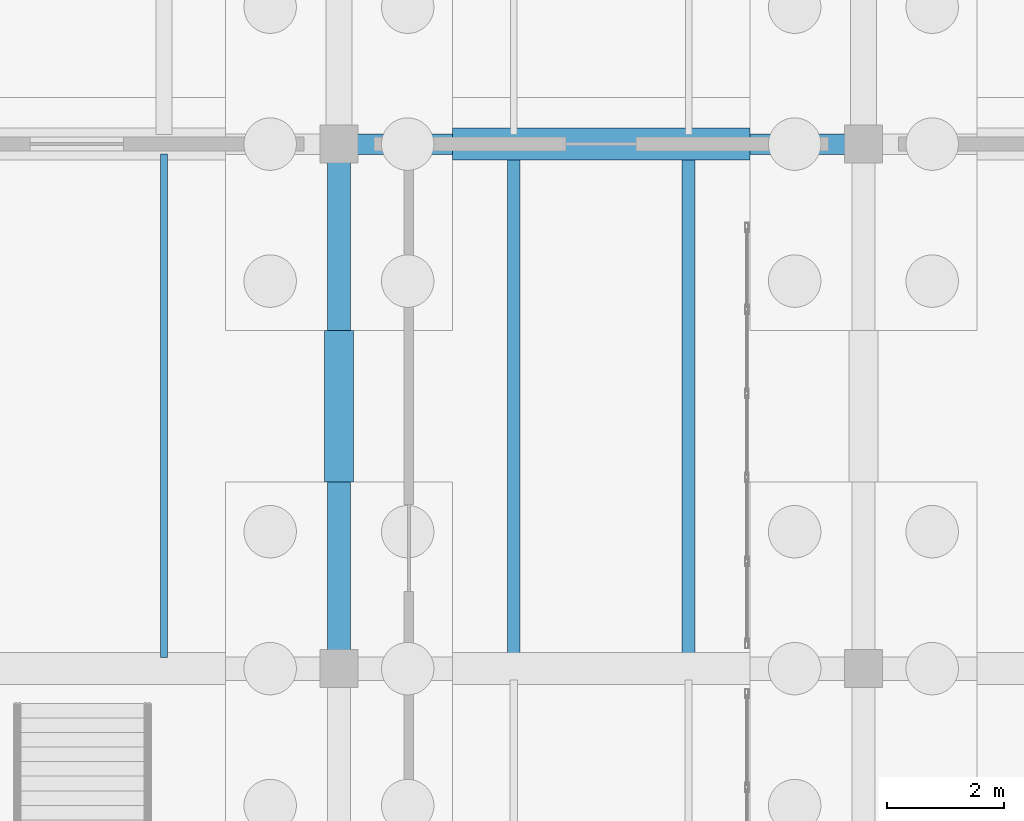
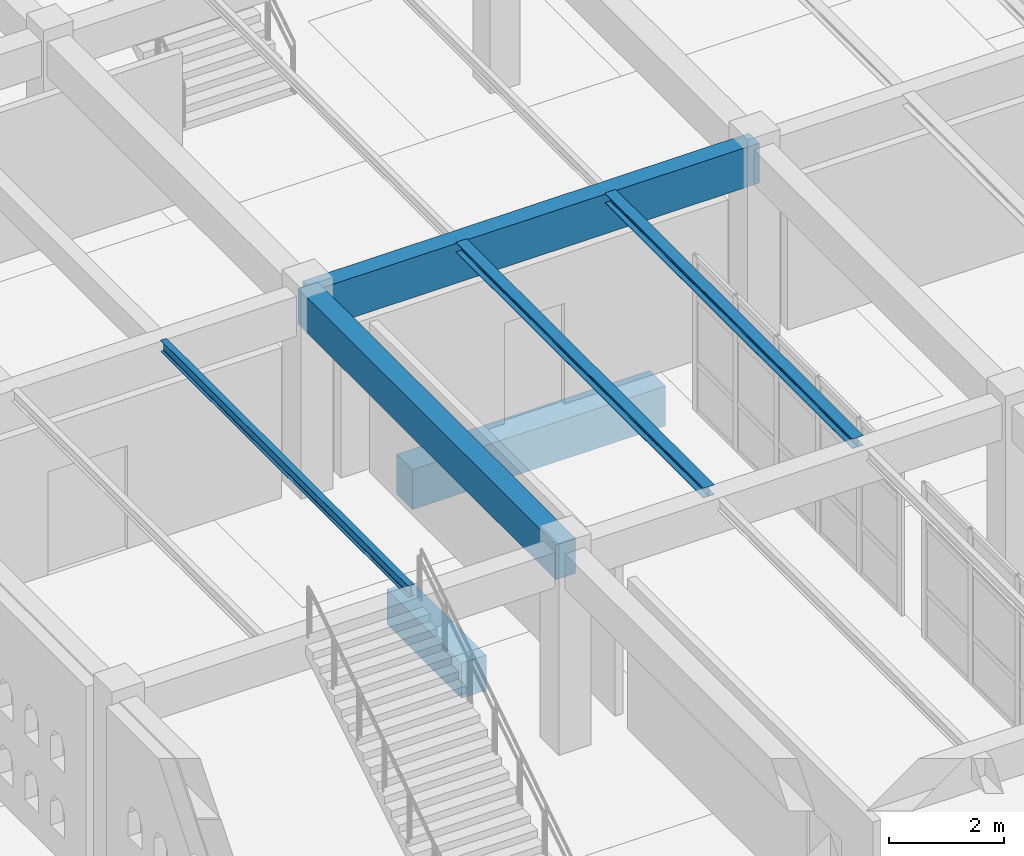
# One storey, part 120 of 186: 7 beams.
"""IFC4 building model written with IfcOpenShell, lengths in metres."""

from ifc_helpers import new_model, si_unit, direction, frame, origin, origin_2d, place, context, subcontext, project, spatial, rectangle, i_section, extrude, material, material_profile, profile_set, type_object, element, save


model = new_model("IFC4")

# Units and contexts
model_context = context("Model", 3, precision=1e-05, world=origin(), true_north=direction((0.0, 1.0)))
body_context = subcontext(model_context, "Body", "Model", "MODEL_VIEW")
ifc_project = project(units=[si_unit("LENGTHUNIT", "METRE"), si_unit("AREAUNIT", "SQUARE_METRE"), si_unit("VOLUMEUNIT", "CUBIC_METRE"), si_unit("PLANEANGLEUNIT", "RADIAN"), si_unit("MASSUNIT", "GRAM", prefix="KILO")], contexts=[model_context])

# Site, building, storey
site_placement = place(None, origin())
site = spatial("IfcSite", under=ifc_project, at=site_placement, CompositionType="ELEMENT")
building_placement = place(site_placement, origin())
building = spatial("IfcBuilding", under=site, at=building_placement, Name="Ornek Quay Market", CompositionType="ELEMENT")
storey_placement = place(building_placement, origin())
storey = spatial("IfcBuildingStorey", under=building, at=storey_placement, Name="L00", CompositionType="ELEMENT", Elevation=0.0)

# Beams
ifc_material_1 = material(Name="Concrete C35/45", Category="concrete")
ifc_material_profile_1 = material_profile(ifc_material_1, rectangle(XDim=0.39990234375, YDim=0.75, at=origin_2d()), Name="RC 400x750", Category="concrete")
ifc_profile_set_1 = profile_set([ifc_material_profile_1], Name="Concrete C35/45")
beam_type_1 = type_object("IfcBeamType", Name="BM-CS-400x750", PredefinedType="BEAM", material=ifc_profile_set_1)
beam_1_placement = place(storey_placement, frame((162.0, 56.0, 3.875), z_axis=(0.0, 1.0, 0.0), x_axis=(-1.0, 0.0, 0.0)))
element("IfcBeam", 1, at=beam_1_placement, inside=storey, type_object=beam_type_1, Name="Primary beam B-CS1-021", PredefinedType="BEAM", context=body_context, shape_type="SweptSolid", body=[
    extrude(rectangle(XDim=0.39990234375, YDim=0.75, at=origin_2d()), origin(), (0.0, 0.0, 1.0), 9.0),
])
ifc_material_profile_2 = material_profile(ifc_material_1, rectangle(XDim=0.5, YDim=0.75, at=origin_2d()), Name="RC 500x750", Category="concrete")
ifc_profile_set_2 = profile_set([ifc_material_profile_2], Name="Concrete C35/45")
beam_type_2 = type_object("IfcBeamType", Name="BM-GB-500x750", PredefinedType="BEAM", material=ifc_profile_set_2)
beam_2_placement = place(storey_placement, frame((162.0, 59.199951171875, -0.574951171875), z_axis=(0.0, 1.0, 0.0), x_axis=(-1.0, 0.0, 0.0)))
element("IfcBeam", 2, at=beam_2_placement, inside=storey, type_object=beam_type_2, Name="Ground tie beam GB-405", PredefinedType="BEAM", context=body_context, shape_type="SweptSolid", body=[
    extrude(rectangle(XDim=0.5, YDim=0.75, at=origin_2d()), origin(), (0.0, 0.0, 1.0), 2.60009765625),
])
ifc_material_profile_3 = material_profile(ifc_material_1, rectangle(XDim=0.550048828125, YDim=0.85009765625, at=origin_2d()), Name="RC 550x850", Category="concrete")
ifc_profile_set_3 = profile_set([ifc_material_profile_3], Name="Concrete C35/45")
beam_type_3 = type_object("IfcBeamType", Name="BM-GB-550x850", PredefinedType="BEAM", material=ifc_profile_set_3)
beam_3_placement = place(storey_placement, frame((163.949951171875, 65.0, -0.625), z_axis=(1.0, 0.0, 0.0), x_axis=(0.0, 1.0, 0.0)))
element("IfcBeam", 3, at=beam_3_placement, inside=storey, type_object=beam_type_3, Name="Ground tie beam GB-331", PredefinedType="BEAM", context=body_context, shape_type="SweptSolid", body=[
    extrude(rectangle(XDim=0.550048828125, YDim=0.85009765625, at=origin_2d()), origin(), (0.0, 0.0, 1.0), 5.10009765625),
])
ifc_material_2 = material(Name="Concrete C40/50", Category="concrete")
ifc_material_profile_4 = material_profile(ifc_material_2, rectangle(XDim=0.35009765625, YDim=0.85009765625, at=origin_2d()), Name="RC 350x850", Category="concrete")
ifc_profile_set_4 = profile_set([ifc_material_profile_4], Name="Concrete C40/50")
beam_type_4 = type_object("IfcBeamType", Name="BM-SPN-350x850", PredefinedType="SPANDREL", material=ifc_profile_set_4)
beam_4_placement = place(storey_placement, frame((162.0, 65.0, 3.804931640625), z_axis=(1.0, 0.0, 0.0), x_axis=(0.0, 1.0, 0.0)))
element("IfcBeam", 4, at=beam_4_placement, inside=storey, type_object=beam_type_4, Name="Primary beam B-SP1-091", PredefinedType="SPANDREL", context=body_context, shape_type="SweptSolid", body=[
    extrude(rectangle(XDim=0.35009765625, YDim=0.85009765625, at=origin_2d()), origin(), (0.0, 0.0, 1.0), 9.0),
])
ifc_material_3 = material(Name="Steel S355", Category="steel")
ifc_material_profile_5 = material_profile(ifc_material_3, i_section(OverallWidth=0.219970703125, OverallDepth=0.2099609375, WebThickness=0.007080078125, FlangeThickness=0.010986328125, FilletRadius=0.01806640625, at=origin_2d()), Name="HEA 220", Category="steel")
ifc_profile_set_5 = profile_set([ifc_material_profile_5], Name="Steel S355")
beam_type_5 = type_object("IfcBeamType", Name="BM-STL-HEA220", PredefinedType="BEAM", material=ifc_profile_set_5)
for number, where, z_axis, x_axis, name in (
    (5, (165.0, 56.19189453125, 4.14501953125), (0.0, 1.0, 0.0), (-1.0, 0.0, 0.0), "Secondary joist SB-13-019"),
    (6, (168.0, 56.19189453125, 4.14501953125), (0.0, 1.0, 0.0), (-1.0, 0.0, 0.0), "Secondary joist SB-13-020"),
):
    element("IfcBeam", number, at=place(storey_placement, frame(where, z_axis=z_axis, x_axis=x_axis)), inside=storey, type_object=beam_type_5, Name=name, PredefinedType="BEAM", context=body_context, shape_type="SweptSolid", body=[
        extrude(i_section(OverallWidth=0.219970703125, OverallDepth=0.2099609375, WebThickness=0.007080078125, FlangeThickness=0.010986328125, FilletRadius=0.01806640625, at=origin_2d()), origin(), (0.0, 0.0, 1.0), 8.64111328125),
    ])
ifc_material_profile_6 = material_profile(ifc_material_3, i_section(OverallWidth=0.1201171875, OverallDepth=0.239990234375, WebThickness=0.006103515625, FlangeThickness=0.009765625, FilletRadius=0.014892578125, at=origin_2d()), Name="IPE 240", Category="steel")
ifc_profile_set_6 = profile_set([ifc_material_profile_6], Name="Steel S355")
beam_type_6 = type_object("IfcBeamType", Name="BM-STL-IPE240", PredefinedType="JOIST", material=ifc_profile_set_6)
beam_5_placement = place(storey_placement, frame((159.0, 56.19189453125, 4.1298828125), z_axis=(0.0, 1.0, 0.0), x_axis=(-1.0, 0.0, 0.0)))
element("IfcBeam", 7, at=beam_5_placement, inside=storey, type_object=beam_type_6, Name="Secondary joist SB-04-038", PredefinedType="JOIST", context=body_context, shape_type="SweptSolid", body=[
    extrude(i_section(OverallWidth=0.1201171875, OverallDepth=0.239990234375, WebThickness=0.006103515625, FlangeThickness=0.009765625, FilletRadius=0.014892578125, at=origin_2d()), origin(), (0.0, 0.0, 1.0), 8.64111328125),
])

save(model, "model.ifc")
